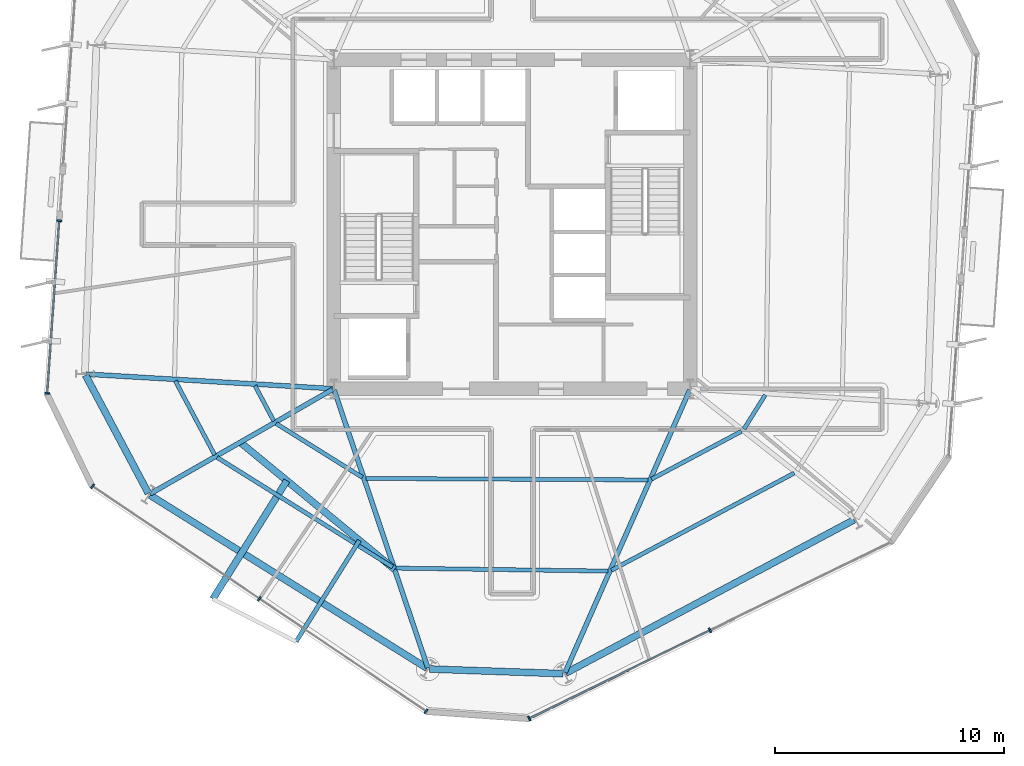
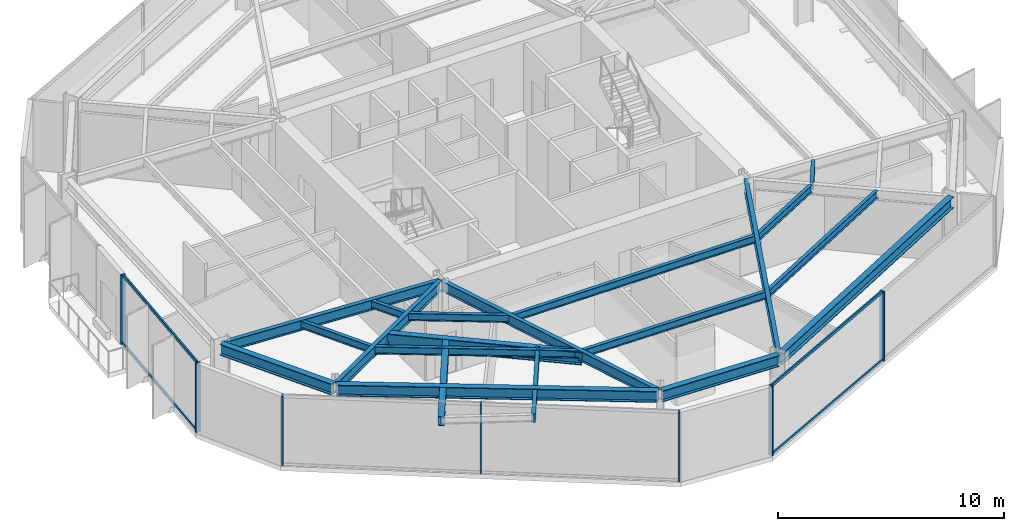
# One storey, part 2 of 14: 20 beams, 11 members, 3 elements without a shape of their own.
"""IFC4 building model written with IfcOpenShell, lengths in metres."""

from ifc_helpers import new_model, si_unit, direction, frame, origin, origin_2d, place, context, subcontext, project, spatial, rectangle, i_section, extrude, material, layer, layer_set, material_profile, profile_set, type_object, element, aggregate, save


model = new_model("IFC4")

# Units and contexts
model_context = context("Model", 3, precision=1e-05, world=origin(), true_north=direction((0.0, 1.0)))
body_context = subcontext(model_context, "Body", "Model", "MODEL_VIEW")
ifc_project = project(units=[si_unit("LENGTHUNIT", "METRE"), si_unit("AREAUNIT", "SQUARE_METRE"), si_unit("VOLUMEUNIT", "CUBIC_METRE"), si_unit("PLANEANGLEUNIT", "RADIAN"), si_unit("MASSUNIT", "GRAM", prefix="KILO")], contexts=[model_context])

# Site, building, storey
site_placement = place(None, origin())
site = spatial("IfcSite", under=ifc_project, at=site_placement, CompositionType="ELEMENT")
building_placement = place(site_placement, origin())
building = spatial("IfcBuilding", under=site, at=building_placement, Name="Kranzbogen Civic Tower", CompositionType="ELEMENT")
storey_placement = place(building_placement, frame((0.0, 0.0, 126.39990234375)))
storey = spatial("IfcBuildingStorey", under=building, at=storey_placement, Name="L30", CompositionType="ELEMENT", Elevation=126.39990234375)

# Beam
ifc_material_1 = material(Name="Steel S355", Category="steel")
ifc_material_profile_1 = material_profile(ifc_material_1, i_section(OverallWidth=0.18994140625, OverallDepth=0.449951171875, WebThickness=0.009521484375, FlangeThickness=0.0146484375, at=origin_2d()), Name="IPE 450")
ifc_profile_set_1 = profile_set([ifc_material_profile_1], Name="Steel S355")
beam_type_1 = type_object("IfcBeamType", Name="Braced Terrace Edge Beam IPE 450", PredefinedType="BEAM", material=ifc_profile_set_1)
beam_1_placement = place(storey_placement, frame((18.322021484375, 11.1630859375, 3.525146484375), z_axis=(-0.529990542375, -0.848003552465, 0.0), x_axis=(0.848003552465, -0.529990542375, 0.0)))
element("IfcBeam", 1, at=beam_1_placement, inside=storey, type_object=beam_type_1, Name="L31 back-spanned terrace beam L31-TB1-2", PredefinedType="BEAM", context=body_context, shape_type="SweptSolid", body=[
    extrude(i_section(OverallWidth=0.18994140625, OverallDepth=0.449951171875, WebThickness=0.009521484375, FlangeThickness=0.0146484375, at=origin_2d()), origin(), (0.0, 0.0, 1.0), 5.2265625),
])

# Curtain wall, members
ifc_material_2 = material(Name="Pale Anodised Aluminium", Category="aluminium")
ifc_layer = layer(ifc_material_2, 0.219970703125, Name="Pale Anodised Aluminium")
ifc_layer_set = layer_set([ifc_layer], Name="Pale Anodised Aluminium")
curtain_wall_type = type_object("IfcCurtainWallType", Name="Zone 2 Stick Curtain Wall System CW-03", PredefinedType="USERDEFINED", material=ifc_layer_set)
curtain_wall_1_placement = place(storey_placement, origin())
curtain_wall_1 = element("IfcCurtainWall", 2, at=curtain_wall_1_placement, inside=storey, type_object=curtain_wall_type, Name="L30 curtain wall CW-L30-F3-S2", ObjectType="STICK CURTAIN WALL", PredefinedType="USERDEFINED")
ifc_material_profile_2 = material_profile(ifc_material_2, rectangle(XDim=0.074951171875, YDim=0.219970703125, at=origin_2d()), Name="ALU-M 75x220")
ifc_profile_set_2 = profile_set([ifc_material_profile_2], Name="Pale Anodised Aluminium")
member_type_1 = type_object("IfcMemberType", Name="Curtain Wall Mullion ALU-M 75x220", PredefinedType="MULLION", material=ifc_profile_set_2)
member_1_placement = place(storey_placement, frame((5.18994140625, 25.152099609375, 0.0), z_axis=(0.0, 0.0, 1.0), x_axis=(-0.069822609681, -0.997559423382, 0.0)))
member_1 = element("IfcMember", 3, at=member_1_placement, type_object=member_type_1, Name="CW-03 mullion 1", PredefinedType="MULLION", context=body_context, shape_type="SweptSolid", body=[
    extrude(rectangle(XDim=0.074951171875, YDim=0.219970703125, at=origin_2d()), origin(), (0.0, 0.0, 1.0), 3.760009765625),
])
member_2_placement = place(storey_placement, frame((4.6611328125, 17.596923828125, 0.0), z_axis=(0.0, 0.0, 1.0), x_axis=(-0.069822609681, -0.997559423382, 0.0)))
member_2 = element("IfcMember", 4, at=member_2_placement, type_object=member_type_1, Name="CW-03 mullion 2", PredefinedType="MULLION", context=body_context, shape_type="SweptSolid", body=[
    extrude(rectangle(XDim=0.074951171875, YDim=0.219970703125, at=origin_2d()), origin(), (0.0, 0.0, 1.0), 3.760009765625),
])

curtain_wall_2_placement = place(storey_placement, origin())
curtain_wall_2 = element("IfcCurtainWall", 5, at=curtain_wall_2_placement, inside=storey, type_object=curtain_wall_type, Name="L30 curtain wall CW-L30-F4", ObjectType="STICK CURTAIN WALL", PredefinedType="USERDEFINED")
member_3_placement = place(storey_placement, frame((6.644775390625, 13.53125, 0.0), z_axis=(0.0, 0.0, 1.0), x_axis=(0.829025141308, -0.55921133311, 0.0)))
member_3 = element("IfcMember", 6, at=member_3_placement, type_object=member_type_1, Name="CW-03 mullion 1", PredefinedType="MULLION", context=body_context, shape_type="SweptSolid", body=[
    extrude(rectangle(XDim=0.074951171875, YDim=0.219970703125, at=origin_2d()), origin(), (0.0, 0.0, 1.0), 3.760009765625),
])
member_4_placement = place(storey_placement, frame((13.943603515625, 8.60791015625, 0.0), z_axis=(0.0, 0.0, 1.0), x_axis=(0.829025141308, -0.55921133311, 0.0)))
member_4 = element("IfcMember", 7, at=member_4_placement, type_object=member_type_1, Name="CW-03 mullion 2", PredefinedType="MULLION", context=body_context, shape_type="SweptSolid", body=[
    extrude(rectangle(XDim=0.074951171875, YDim=0.219970703125, at=origin_2d()), origin(), (0.0, 0.0, 1.0), 3.760009765625),
])
member_5_placement = place(storey_placement, frame((21.2421875, 3.684814453125, 0.0), z_axis=(0.0, 0.0, 1.0), x_axis=(0.829025141308, -0.55921133311, 0.0)))
member_5 = element("IfcMember", 8, at=member_5_placement, type_object=member_type_1, Name="CW-03 mullion 3", PredefinedType="MULLION", context=body_context, shape_type="SweptSolid", body=[
    extrude(rectangle(XDim=0.074951171875, YDim=0.219970703125, at=origin_2d()), origin(), (0.0, 0.0, 1.0), 3.760009765625),
])
aggregate(curtain_wall_2, [member_3, member_4, member_5])

curtain_wall_3_placement = place(storey_placement, origin())
curtain_wall_3 = element("IfcCurtainWall", 9, at=curtain_wall_3_placement, inside=storey, type_object=curtain_wall_type, Name="L30 curtain wall CW-L30-F5", ObjectType="STICK CURTAIN WALL", PredefinedType="USERDEFINED")
member_6_placement = place(storey_placement, frame((25.75390625, 3.369140625, 0.0), z_axis=(0.0, 0.0, 1.0), x_axis=(0.8987869382, 0.438385720252, 0.0)))
member_6 = element("IfcMember", 10, at=member_6_placement, type_object=member_type_1, Name="CW-03 mullion 1", PredefinedType="MULLION", context=body_context, shape_type="SweptSolid", body=[
    extrude(rectangle(XDim=0.074951171875, YDim=0.219970703125, at=origin_2d()), origin(), (0.0, 0.0, 1.0), 3.760009765625),
])
member_7_placement = place(storey_placement, frame((33.66748046875, 7.22900390625, 0.0), z_axis=(0.0, 0.0, 1.0), x_axis=(0.8987869382, 0.438385720252, 0.0)))
member_7 = element("IfcMember", 11, at=member_7_placement, type_object=member_type_1, Name="CW-03 mullion 2", PredefinedType="MULLION", context=body_context, shape_type="SweptSolid", body=[
    extrude(rectangle(XDim=0.074951171875, YDim=0.219970703125, at=origin_2d()), origin(), (0.0, 0.0, 1.0), 3.760009765625),
])

# Member
ifc_material_profile_3 = material_profile(ifc_material_2, rectangle(XDim=0.074951171875, YDim=0.1650390625, at=origin_2d()), Name="ALU-T 75x165")
ifc_profile_set_3 = profile_set([ifc_material_profile_3], Name="Pale Anodised Aluminium")
member_type_2 = type_object("IfcMemberType", Name="Curtain Wall Transom ALU-T 75x165", PredefinedType="USERDEFINED", material=ifc_profile_set_3)
member_8_placement = place(storey_placement, frame((5.187744140625, 25.1220703125, 0.030029296875), z_axis=(-0.0698291277, -0.997558967142, 0.0), x_axis=(0.997558967142, -0.0698291277, 0.0)))
member_8 = element("IfcMember", 12, at=member_8_placement, type_object=member_type_2, Name="CW-03 transom 1.1", ObjectType="TRANSOM", PredefinedType="USERDEFINED", context=body_context, shape_type="SweptSolid", body=[
    extrude(rectangle(XDim=0.074951171875, YDim=0.1650390625, at=origin_2d()), origin(), (0.0, 0.0, 1.0), 7.513427734375),
])

member_9_placement = place(storey_placement, frame((5.187744140625, 25.1220703125, 3.72998046875), z_axis=(-0.0698291277, -0.997558967142, 0.0), x_axis=(0.997558967142, -0.0698291277, 0.0)))
member_9 = element("IfcMember", 13, at=member_9_placement, type_object=member_type_2, Name="CW-03 transom 1.2", ObjectType="TRANSOM", PredefinedType="USERDEFINED", context=body_context, shape_type="SweptSolid", body=[
    extrude(rectangle(XDim=0.074951171875, YDim=0.1650390625, at=origin_2d()), origin(), (0.0, 0.0, 1.0), 7.513427734375),
])

aggregate(curtain_wall_1, [member_1, member_2, member_8, member_9])

member_10_placement = place(storey_placement, frame((25.781005859375, 3.38232421875, 0.030029296875), z_axis=(0.898789373645, 0.438380727021, 0.0), x_axis=(-0.438380727021, 0.898789373645, 0.0)))
member_10 = element("IfcMember", 14, at=member_10_placement, type_object=member_type_2, Name="CW-03 transom 1.1", ObjectType="TRANSOM", PredefinedType="USERDEFINED", context=body_context, shape_type="SweptSolid", body=[
    extrude(rectangle(XDim=0.074951171875, YDim=0.1650390625, at=origin_2d()), origin(), (0.0, 0.0, 1.0), 8.74462890625),
])

member_11_placement = place(storey_placement, frame((25.781005859375, 3.38232421875, 3.72998046875), z_axis=(0.898789373645, 0.438380727021, 0.0), x_axis=(-0.438380727021, 0.898789373645, 0.0)))
member_11 = element("IfcMember", 15, at=member_11_placement, type_object=member_type_2, Name="CW-03 transom 1.2", ObjectType="TRANSOM", PredefinedType="USERDEFINED", context=body_context, shape_type="SweptSolid", body=[
    extrude(rectangle(XDim=0.074951171875, YDim=0.1650390625, at=origin_2d()), origin(), (0.0, 0.0, 1.0), 8.74462890625),
])

aggregate(curtain_wall_3, [member_6, member_7, member_10, member_11])

# Beams
ifc_material_profile_4 = material_profile(ifc_material_1, i_section(OverallWidth=0.300048828125, OverallDepth=0.5, WebThickness=0.014404296875, FlangeThickness=0.028076171875, at=origin_2d()), Name="HEB 500")
ifc_profile_set_4 = profile_set([ifc_material_profile_4], Name="Steel S355")
beam_type_2 = type_object("IfcBeamType", Name="Perimeter Tube Spandrel Beam HEB 500", PredefinedType="SPANDREL", material=ifc_profile_set_4)
beam_2_placement = place(storey_placement, frame((15.14501953125, 13.778076171875, 3.5), z_axis=(-0.529937826814, -0.848036496686, 0.0), x_axis=(0.848036496686, -0.529937826814, 0.0)))
element("IfcBeam", 16, at=beam_2_placement, inside=storey, type_object=beam_type_2, Name="L31 back-spanned terrace beam L31-TB1-1", PredefinedType="SPANDREL", context=body_context, shape_type="SweptSolid", body=[
    extrude(i_section(OverallWidth=0.300048828125, OverallDepth=0.5, WebThickness=0.014404296875, FlangeThickness=0.028076171875, at=origin_2d()), origin(), (0.0, 0.0, 1.0), 6.104736328125),
])
ifc_material_profile_5 = material_profile(ifc_material_1, i_section(OverallWidth=0.300048828125, OverallDepth=0.60009765625, WebThickness=0.015380859375, FlangeThickness=0.030029296875, at=origin_2d()), Name="HEB 600")
ifc_profile_set_5 = profile_set([ifc_material_profile_5], Name="Steel S355")
beam_type_3 = type_object("IfcBeamType", Name="Perimeter Tube Spandrel Beam HEB 600", PredefinedType="SPANDREL", material=ifc_profile_set_5)
beam_3_placement = place(storey_placement, frame((6.337890625, 18.39111328125, 3.460205078125), z_axis=(0.469565926668, -0.882897412224, 0.0), x_axis=(0.882897412224, 0.469565926668, 0.0)))
element("IfcBeam", 17, at=beam_3_placement, inside=storey, type_object=beam_type_3, Name="L30 perimeter spandrel beam 01", PredefinedType="SPANDREL", context=body_context, shape_type="SweptSolid", body=[
    extrude(i_section(OverallWidth=0.300048828125, OverallDepth=0.60009765625, WebThickness=0.015380859375, FlangeThickness=0.030029296875, at=origin_2d()), origin(), (0.0, 0.0, 1.0), 5.852294921875),
])
beam_4_placement = place(storey_placement, frame((9.1650390625, 13.138916015625, 3.460205078125), z_axis=(0.848051101349, -0.52991445489, 0.0), x_axis=(0.52991445489, 0.848051101349, 0.0)))
element("IfcBeam", 18, at=beam_4_placement, inside=storey, type_object=beam_type_3, Name="L30 perimeter spandrel beam 02", PredefinedType="SPANDREL", context=body_context, shape_type="SweptSolid", body=[
    extrude(i_section(OverallWidth=0.300048828125, OverallDepth=0.60009765625, WebThickness=0.015380859375, FlangeThickness=0.030029296875, at=origin_2d()), origin(), (0.0, 0.0, 1.0), 14.286865234375),
])
beam_5_placement = place(storey_placement, frame((21.39208984375, 5.533935546875, 3.460205078125), z_axis=(0.999393148233, -0.03483296234, 0.0), x_axis=(0.03483296234, 0.999393148233, 0.0)))
element("IfcBeam", 19, at=beam_5_placement, inside=storey, type_object=beam_type_3, Name="L30 perimeter spandrel beam 03", PredefinedType="SPANDREL", context=body_context, shape_type="SweptSolid", body=[
    extrude(i_section(OverallWidth=0.300048828125, OverallDepth=0.60009765625, WebThickness=0.015380859375, FlangeThickness=0.030029296875, at=origin_2d()), origin(), (0.0, 0.0, 1.0), 5.8525390625),
])
beam_6_placement = place(storey_placement, frame((27.35400390625, 5.35595703125, 3.460205078125), z_axis=(0.882948194046, 0.469470432116, 0.0), x_axis=(-0.469470432116, 0.882948194046, 0.0)))
element("IfcBeam", 20, at=beam_6_placement, inside=storey, type_object=beam_type_3, Name="L30 perimeter spandrel beam 04", PredefinedType="SPANDREL", context=body_context, shape_type="SweptSolid", body=[
    extrude(i_section(OverallWidth=0.300048828125, OverallDepth=0.60009765625, WebThickness=0.015380859375, FlangeThickness=0.030029296875, at=origin_2d()), origin(), (0.0, 0.0, 1.0), 14.28857421875),
])
ifc_material_profile_6 = material_profile(ifc_material_1, i_section(OverallWidth=0.300048828125, OverallDepth=0.699951171875, WebThickness=0.01708984375, FlangeThickness=0.031982421875, at=origin_2d()), Name="HEB 700")
ifc_profile_set_6 = profile_set([ifc_material_profile_6], Name="Steel S355")
beam_type_4 = type_object("IfcBeamType", Name="Perimeter Tube Spandrel Beam HEB 700", PredefinedType="SPANDREL", material=ifc_profile_set_6)
beam_7_placement = place(storey_placement, frame((13.10595703125, 15.4560546875, 3.400146484375), z_axis=(0.772133132713, -0.635460797663, 0.0), x_axis=(0.635460797663, 0.772133132713, 0.0)))
element("IfcBeam", 21, at=beam_7_placement, inside=storey, type_object=beam_type_4, Name="L31 balcony back-span header girder L31-TB1", PredefinedType="SPANDREL", context=body_context, shape_type="SweptSolid", body=[
    extrude(i_section(OverallWidth=0.300048828125, OverallDepth=0.699951171875, WebThickness=0.01708984375, FlangeThickness=0.031982421875, at=origin_2d()), origin(), (0.0, 0.0, 1.0), 8.751220703125),
])
ifc_material_profile_7 = material_profile(ifc_material_1, i_section(OverallWidth=0.2099609375, OverallDepth=0.550048828125, WebThickness=0.010986328125, FlangeThickness=0.01708984375, at=origin_2d()), Name="IPE 550")
ifc_profile_set_7 = profile_set([ifc_material_profile_7], Name="Steel S355")
beam_type_5 = type_object("IfcBeamType", Name="Radial Tower Floor Girder IPE 550", PredefinedType="BEAM", material=ifc_profile_set_7)
beam_8_placement = place(storey_placement, frame((6.3701171875, 18.43994140625, 3.485107421875), z_axis=(0.998260925387, -0.058950189528, 0.0), x_axis=(0.058950189528, 0.998260925387, 0.0)))
element("IfcBeam", 22, at=beam_8_placement, inside=storey, type_object=beam_type_5, Name="L30 radial floor girder 01", PredefinedType="BEAM", context=body_context, shape_type="SweptSolid", body=[
    extrude(i_section(OverallWidth=0.2099609375, OverallDepth=0.550048828125, WebThickness=0.010986328125, FlangeThickness=0.01708984375, at=origin_2d()), origin(), (0.0, 0.0, 1.0), 10.78857421875),
])
beam_9_placement = place(storey_placement, frame((9.166015625, 13.200927734375, 3.485107421875), z_axis=(0.867868812182, 0.496793442833, 0.0), x_axis=(-0.496793442833, 0.867868812182, 0.0)))
element("IfcBeam", 23, at=beam_9_placement, inside=storey, type_object=beam_type_5, Name="L30 radial floor girder 02", PredefinedType="BEAM", context=body_context, shape_type="SweptSolid", body=[
    extrude(i_section(OverallWidth=0.2099609375, OverallDepth=0.550048828125, WebThickness=0.010986328125, FlangeThickness=0.01708984375, at=origin_2d()), origin(), (0.0, 0.0, 1.0), 9.197265625),
])
beam_10_placement = place(storey_placement, frame((21.31298828125, 5.593017578125, 3.485107421875), z_axis=(-0.319316617377, 0.947648087566, 0.0), x_axis=(-0.947648087566, -0.319316617377, 0.0)))
element("IfcBeam", 24, at=beam_10_placement, inside=storey, type_object=beam_type_5, Name="L30 radial floor girder 03", PredefinedType="BEAM", context=body_context, shape_type="SweptSolid", body=[
    extrude(i_section(OverallWidth=0.2099609375, OverallDepth=0.550048828125, WebThickness=0.010986328125, FlangeThickness=0.01708984375, at=origin_2d()), origin(), (0.0, 0.0, 1.0), 12.821044921875),
])
beam_11_placement = place(storey_placement, frame((27.324951171875, 5.383056640625, 3.485107421875), z_axis=(0.403459127705, 0.914997667905, 0.0), x_axis=(-0.914997667905, 0.403459127705, 0.0)))
element("IfcBeam", 25, at=beam_11_placement, inside=storey, type_object=beam_type_5, Name="L30 radial floor girder 04", PredefinedType="BEAM", context=body_context, shape_type="SweptSolid", body=[
    extrude(i_section(OverallWidth=0.2099609375, OverallDepth=0.550048828125, WebThickness=0.010986328125, FlangeThickness=0.01708984375, at=origin_2d()), origin(), (0.0, 0.0, 1.0), 13.510498046875),
])
ifc_material_profile_8 = material_profile(ifc_material_1, i_section(OverallWidth=0.179931640625, OverallDepth=0.39990234375, WebThickness=0.008544921875, FlangeThickness=0.013427734375, at=origin_2d()), Name="IPE 400")
ifc_profile_set_8 = profile_set([ifc_material_profile_8], Name="Steel S355")
beam_type_6 = type_object("IfcBeamType", Name="Secondary Composite Floor Joist IPE 400", PredefinedType="JOIST", material=ifc_profile_set_8)
beam_12_placement = place(storey_placement, frame((10.26806640625, 18.14208984375, 3.56005859375), z_axis=(0.469338791783, -0.88301817565, 0.0), x_axis=(0.88301817565, 0.469338791783, 0.0)))
element("IfcBeam", 26, at=beam_12_placement, inside=storey, type_object=beam_type_6, Name="L30 secondary floor joist 1.01", PredefinedType="JOIST", context=body_context, shape_type="SweptSolid", body=[
    extrude(i_section(OverallWidth=0.179931640625, OverallDepth=0.39990234375, WebThickness=0.008544921875, FlangeThickness=0.013427734375, at=origin_2d()), origin(), (0.0, 0.0, 1.0), 3.66259765625),
])
beam_13_placement = place(storey_placement, frame((13.7529296875, 17.93505859375, 3.56005859375), z_axis=(0.46943723363, -0.882965845139, 0.0), x_axis=(0.882965845139, 0.46943723363, 0.0)))
element("IfcBeam", 27, at=beam_13_placement, inside=storey, type_object=beam_type_6, Name="L30 secondary floor joist 2.01", PredefinedType="JOIST", context=body_context, shape_type="SweptSolid", body=[
    extrude(i_section(OverallWidth=0.179931640625, OverallDepth=0.39990234375, WebThickness=0.008544921875, FlangeThickness=0.013427734375, at=origin_2d()), origin(), (0.0, 0.0, 1.0), 1.7509765625),
])
beam_14_placement = place(storey_placement, frame((12.093017578125, 14.794921875, 3.56005859375), z_axis=(0.848025549308, -0.529955345026, 0.0), x_axis=(0.529955345026, 0.848025549308, 0.0)))
element("IfcBeam", 28, at=beam_14_placement, inside=storey, type_object=beam_type_6, Name="L30 secondary floor joist 1.02", PredefinedType="JOIST", context=body_context, shape_type="SweptSolid", body=[
    extrude(i_section(OverallWidth=0.179931640625, OverallDepth=0.39990234375, WebThickness=0.008544921875, FlangeThickness=0.013427734375, at=origin_2d()), origin(), (0.0, 0.0, 1.0), 9.06103515625),
])
beam_15_placement = place(storey_placement, frame((14.679931640625, 16.27587890625, 3.56005859375), z_axis=(0.848093834398, -0.529846060716, 0.0), x_axis=(0.529846060716, 0.848093834398, 0.0)))
element("IfcBeam", 29, at=beam_15_placement, inside=storey, type_object=beam_type_6, Name="L30 secondary floor joist 2.02", PredefinedType="JOIST", context=body_context, shape_type="SweptSolid", body=[
    extrude(i_section(OverallWidth=0.179931640625, OverallDepth=0.39990234375, WebThickness=0.008544921875, FlangeThickness=0.013427734375, at=origin_2d()), origin(), (0.0, 0.0, 1.0), 4.4501953125),
])
beam_16_placement = place(storey_placement, frame((19.924072265625, 9.949951171875, 3.56005859375), z_axis=(0.999900525148, -0.014104602386, 0.0), x_axis=(0.014104602386, 0.999900525148, 0.0)))
element("IfcBeam", 30, at=beam_16_placement, inside=storey, type_object=beam_type_6, Name="L30 secondary floor joist 1.03", PredefinedType="JOIST", context=body_context, shape_type="SweptSolid", body=[
    extrude(i_section(OverallWidth=0.179931640625, OverallDepth=0.39990234375, WebThickness=0.008544921875, FlangeThickness=0.013427734375, at=origin_2d()), origin(), (0.0, 0.0, 1.0), 9.27783203125),
])
beam_17_placement = place(storey_placement, frame((18.60205078125, 13.875, 3.56005859375), z_axis=(0.999985774147, -0.005333995002, 0.0), x_axis=(0.005333995002, 0.999985774147, 0.0)))
element("IfcBeam", 31, at=beam_17_placement, inside=storey, type_object=beam_type_6, Name="L30 secondary floor joist 2.03", PredefinedType="JOIST", context=body_context, shape_type="SweptSolid", body=[
    extrude(i_section(OverallWidth=0.179931640625, OverallDepth=0.39990234375, WebThickness=0.008544921875, FlangeThickness=0.013427734375, at=origin_2d()), origin(), (0.0, 0.0, 1.0), 12.358154296875),
])
beam_18_placement = place(storey_placement, frame((29.35107421875, 9.85498046875, 3.56005859375), z_axis=(0.882960787661, 0.469446746131, 0.0), x_axis=(-0.469446746131, 0.882960787661, 0.0)))
element("IfcBeam", 32, at=beam_18_placement, inside=storey, type_object=beam_type_6, Name="L30 secondary floor joist 1.04", PredefinedType="JOIST", context=body_context, shape_type="SweptSolid", body=[
    extrude(i_section(OverallWidth=0.179931640625, OverallDepth=0.39990234375, WebThickness=0.008544921875, FlangeThickness=0.013427734375, at=origin_2d()), origin(), (0.0, 0.0, 1.0), 9.0615234375),
])
beam_19_placement = place(storey_placement, frame((31.111083984375, 13.846923828125, 3.56005859375), z_axis=(0.882991399158, 0.469389165844, 0.0), x_axis=(-0.469389165844, 0.882991399158, 0.0)))
element("IfcBeam", 33, at=beam_19_placement, inside=storey, type_object=beam_type_6, Name="L30 secondary floor joist 2.04", PredefinedType="JOIST", context=body_context, shape_type="SweptSolid", body=[
    extrude(i_section(OverallWidth=0.179931640625, OverallDepth=0.39990234375, WebThickness=0.008544921875, FlangeThickness=0.013427734375, at=origin_2d()), origin(), (0.0, 0.0, 1.0), 4.45068359375),
])
beam_20_placement = place(storey_placement, frame((35.154052734375, 16.041015625, 3.56005859375), z_axis=(0.529572623603, 0.84826460278, 0.0), x_axis=(-0.84826460278, 0.529572623603, 0.0)))
element("IfcBeam", 34, at=beam_20_placement, inside=storey, type_object=beam_type_6, Name="L30 secondary floor joist 2.05", PredefinedType="JOIST", context=body_context, shape_type="SweptSolid", body=[
    extrude(i_section(OverallWidth=0.179931640625, OverallDepth=0.39990234375, WebThickness=0.008544921875, FlangeThickness=0.013427734375, at=origin_2d()), origin(), (0.0, 0.0, 1.0), 1.75048828125),
])

save(model, "model.ifc")
